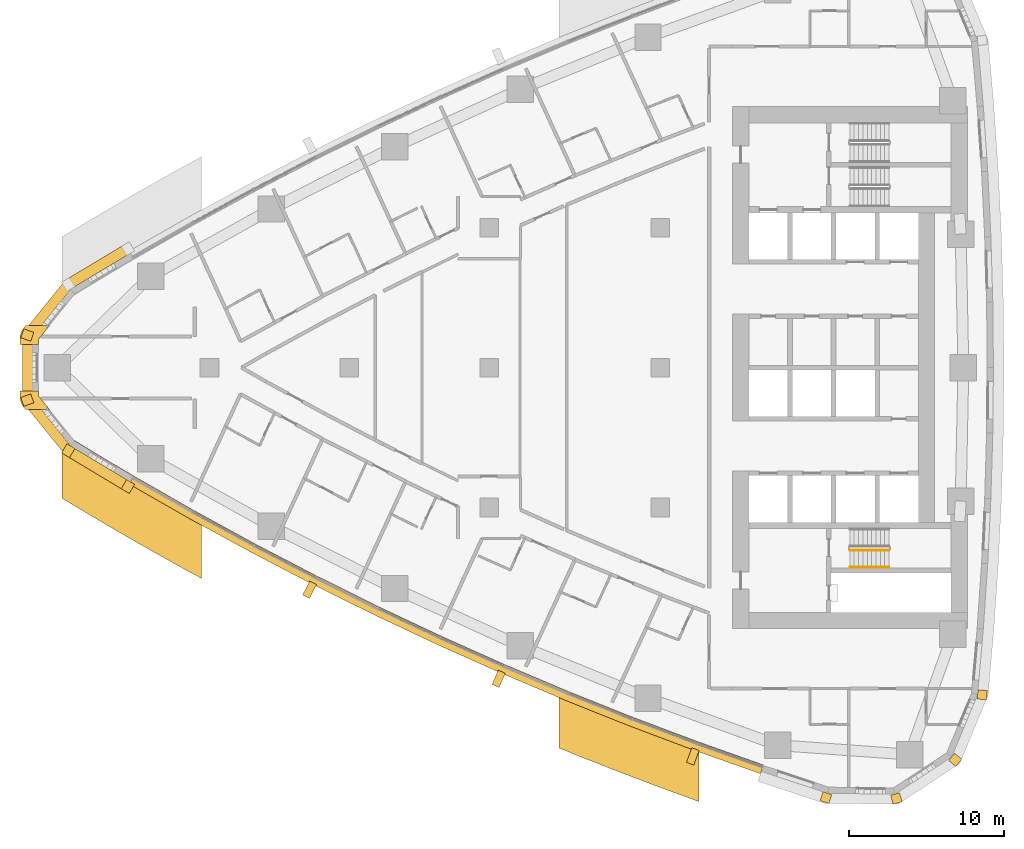
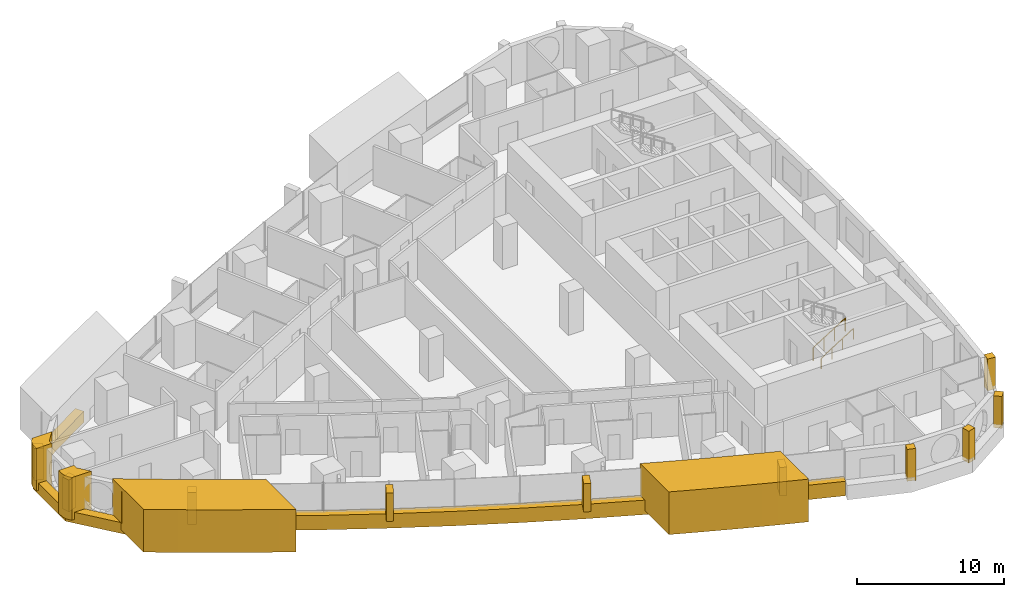
# One storey, part 14 of 17: 17 coverings, 2 railings.
"""IFC4 building model written with IfcOpenShell, lengths in metres."""

from ifc_helpers import new_model, si_unit, direction, frame, frame_2d, origin, origin_2d, place, context, subcontext, project, spatial, polyline, rectangle, circle, outline, extrude, material, layer, layer_set, type_object, element, save


model = new_model("IFC4")

# Units and contexts
model_context = context("Model", 3, precision=1e-05, world=origin(), true_north=direction((0.0, 1.0)))
body_context = subcontext(model_context, "Body", "Model", "MODEL_VIEW")
ifc_project = project(units=[si_unit("LENGTHUNIT", "METRE"), si_unit("AREAUNIT", "SQUARE_METRE"), si_unit("VOLUMEUNIT", "CUBIC_METRE"), si_unit("PLANEANGLEUNIT", "RADIAN"), si_unit("MASSUNIT", "GRAM", prefix="KILO")], contexts=[model_context])

# Site, building, storey
site_placement = place(None, origin())
site = spatial("IfcSite", under=ifc_project, at=site_placement, CompositionType="ELEMENT")
building_placement = place(site_placement, origin())
building = spatial("IfcBuilding", under=site, at=building_placement, Name="Ostrand Prow Hotel Tower", CompositionType="ELEMENT")
storey_placement = place(building_placement, frame((0.0, 0.0, 106.199951171875)))
storey = spatial("IfcBuildingStorey", under=building, at=storey_placement, Name="L25", CompositionType="ELEMENT", Elevation=106.199951171875)

# Coverings
ifc_material_1 = material(Name="Bronze anodised aluminium cladding", Category="aluminium")
ifc_layer_1 = layer(ifc_material_1, 0.60009765625)
ifc_layer_set_1 = layer_set([ifc_layer_1], Name="Bronze anodised aluminium cladding")
covering_type_1 = type_object("IfcCoveringType", Name="Bronze prow band 899x600", PredefinedType="CLADDING", material=ifc_layer_set_1)
covering_1_placement = place(storey_placement, frame((0.0, 0.0, -0.300048828125)))
element("IfcCovering", 1, at=covering_1_placement, inside=storey, type_object=covering_type_1, Name="Bronze prow band", PredefinedType="CLADDING", context=body_context, shape_type="SweptSolid", body=[
    extrude(outline(polyline([(10.580810546875, 7.9453125), (6.734130859375, 5.637939453125), (3.957763671875, 2.206787109375), (3.957763671875, -2.206787109375), (6.734130859375, -5.637939453125), (10.580810546875, -7.9453125), (10.9248046875, -7.358642578125), (7.089599609375, -5.058349609375), (4.598876953125, -1.97998046875), (4.598876953125, 1.97998046875), (7.089599609375, 5.058349609375), (10.9248046875, 7.358642578125), (10.580810546875, 7.9453125)])), origin(), (0.0, 0.0, 1.0), 0.900146484375),
])
ifc_material_2 = material(Name="Bronze anodised aluminium cladding", Category="aluminium")
ifc_layer_2 = layer(ifc_material_2, 0.60009765625)
ifc_layer_set_2 = layer_set([ifc_layer_2], Name="Bronze anodised aluminium cladding")
covering_type_2 = type_object("IfcCoveringType", Name="Bronze spandrel band 1200x600", PredefinedType="CLADDING", material=ifc_layer_set_2)
covering_2_placement = place(storey_placement, frame((0.0, 0.0, -0.300048828125)))
element("IfcCovering", 2, at=covering_2_placement, inside=storey, type_object=covering_type_2, Name="Spandrel band S1", PredefinedType="CLADDING", context=body_context, shape_type="SweptSolid", body=[
    extrude(outline(polyline([(10.841064453125, -7.50146484375), (14.72412109375, -9.726318359375), (18.651123046875, -11.872802734375), (22.620361328125, -13.940185546875), (26.6298828125, -15.927734375), (30.6787109375, -17.834716796875), (34.764892578125, -19.659912109375), (38.88671875, -21.4033203125), (43.042724609375, -23.0634765625), (47.231201171875, -24.64013671875), (51.4501953125, -26.1328125), (51.644775390625, -25.56494140625), (47.43701171875, -24.076416015625), (43.259765625, -22.504150390625), (39.114990234375, -20.848388671875), (35.004150390625, -19.10986328125), (30.928955078125, -17.289306640625), (26.89111328125, -15.3876953125), (22.89208984375, -13.4052734375), (18.93359375, -11.343505859375), (15.01708984375, -9.20263671875), (11.144287109375, -6.98388671875), (10.841064453125, -7.50146484375)])), origin(), (0.0, 0.0, 1.0), 1.2001953125),
])
ifc_material_3 = material(Name="Limestone cladding", Category="masonry")
ifc_layer_3 = layer(ifc_material_3, 5.0)
ifc_layer_set_3 = layer_set([ifc_layer_3], Name="Limestone cladding")
covering_type_3 = type_object("IfcCoveringType", Name="Portal jamb pilaster limestone", PredefinedType="CLADDING", material=ifc_layer_set_3)
covering_3_placement = place(storey_placement, origin())
element("IfcCovering", 3, at=covering_3_placement, inside=storey, type_object=covering_type_3, Name="Portal jamb SA L25", PredefinedType="CLADDING", context=body_context, shape_type="SweptSolid", body=[
    extrude(outline(polyline([(6.5, -4.184326171875), (6.5, -8.40625), (7.5, -9.0087890625), (8.5, -9.604248046875), (9.5, -10.19287109375), (10.5, -10.7744140625), (11.5, -11.349365234375), (12.5, -11.91748046875), (13.5, -12.478759765625), (14.5, -13.03369140625), (15.5, -13.581787109375), (15.5, -9.47216796875), (14.5, -8.912353515625), (13.5, -8.345703125), (12.5, -7.772216796875), (11.5, -7.19189453125), (10.5, -6.6044921875), (9.5, -6.01025390625), (8.5, -5.40869140625), (7.5, -4.80029296875), (6.5, -4.184326171875)])), origin(), (0.0, 0.0, 1.0), 3.550048828125),
])
covering_4_placement = place(storey_placement, origin())
element("IfcCovering", 4, at=covering_4_placement, inside=storey, type_object=covering_type_3, Name="Portal jamb SB L25", PredefinedType="CLADDING", context=body_context, shape_type="SweptSolid", body=[
    extrude(outline(polyline([(38.5, -20.59423828125), (38.5, -24.486083984375), (39.5, -24.890380859375), (40.5, -25.2890625), (41.5, -25.68212890625), (42.5, -26.06982421875), (43.5, -26.4521484375), (44.5, -26.8291015625), (45.5, -27.200439453125), (46.5, -27.566650390625), (47.5, -27.927490234375), (47.5, -24.099609375), (46.5, -23.732177734375), (45.5, -23.359130859375), (44.5, -22.98095703125), (43.5, -22.59716796875), (42.5, -22.207763671875), (41.5, -21.812744140625), (40.5, -21.412353515625), (39.5, -21.006103515625), (38.5, -20.59423828125)])), origin(), (0.0, 0.0, 1.0), 3.550048828125),
])
ifc_material_4 = material(Name="Limestone cladding", Category="masonry")
ifc_layer_4 = layer(ifc_material_4, 0.5)
ifc_layer_set_4 = layer_set([ifc_layer_4], Name="Limestone cladding")
covering_type_4 = type_object("IfcCoveringType", Name="Precast stone fin 500x900", PredefinedType="CLADDING", material=ifc_layer_set_4)
covering_5_placement = place(storey_placement, frame((22.66552734375, -13.85107421875, 0.900146484375), z_axis=(0.0, 0.0, 1.0), x_axis=(-0.453062569589, -0.891478719902, 0.0)))
element("IfcCovering", 5, at=covering_5_placement, inside=storey, type_object=covering_type_4, Name="Stone fin S 4", PredefinedType="CLADDING", context=body_context, shape_type="SweptSolid", body=[
    extrude(rectangle(XDim=1.000244140625, YDim=0.5, at=frame_2d((0.5, 0.0))), origin(), (0.0, 0.0, 1.0), 2.349853515625),
])
for number, where, z_axis, x_axis, name in (
    (6, (34.8046875, -19.568359375, 0.900146484375), (0.0, 0.0, 1.0), (-0.398717183359, -0.917073937965, 0.0), "Stone fin S 7"),
    (7, (47.265380859375, -24.546142578125, 0.900146484375), (0.0, 0.0, 1.0), (-0.342762160206, -0.93942221686, 0.0), "Stone fin S 10"),
):
    element("IfcCovering", number, at=place(storey_placement, frame(where, z_axis=z_axis, x_axis=x_axis)), inside=storey, type_object=covering_type_4, Name=name, PredefinedType="CLADDING", context=body_context, shape_type="SweptSolid", body=[
        extrude(rectangle(XDim=1.0, YDim=0.5, at=frame_2d((0.5, 0.0))), origin(), (0.0, 0.0, 1.0), 2.349853515625),
    ])
ifc_material_5 = material(Name="Limestone cladding", Category="masonry")
ifc_layer_5 = layer(ifc_material_5, 0.60009765625)
ifc_layer_set_5 = layer_set([ifc_layer_5], Name="Limestone cladding")
covering_type_5 = type_object("IfcCoveringType", Name="Precast stone prow rib 600x600", PredefinedType="CLADDING", material=ifc_layer_set_5)
for number, where, z_axis, x_axis, name in (
    (8, (4.598876953125, 1.97998046875, 0.60009765625), (0.0, 0.0, 1.0), (-0.942744850171, 0.333514838465, 0.0), "Stone prow rib 3"),
    (9, (4.598876953125, -1.97998046875, 0.60009765625), (0.0, 0.0, 1.0), (-0.942744850171, -0.333514838465, 0.0), "Stone prow rib 4"),
    (10, (7.089599609375, -5.058349609375, 0.60009765625), (0.0, 0.0, 1.0), (-0.522814637618, -0.852446394029, 0.0), "Stone prow rib 5"),
):
    element("IfcCovering", number, at=place(storey_placement, frame(where, z_axis=z_axis, x_axis=x_axis)), inside=storey, type_object=covering_type_5, Name=name, PredefinedType="CLADDING", context=body_context, shape_type="SweptSolid", body=[
        extrude(rectangle(XDim=0.679931640625, YDim=0.60009765625, at=frame_2d((0.33984375, 0.0))), origin(), (0.0, 0.0, 1.0), 2.64990234375),
    ])
covering_6_placement = place(storey_placement, frame((10.9248046875, -7.358642578125, 0.60009765625), z_axis=(0.0, 0.0, 1.0), x_axis=(-0.505811626043, -0.862643958397, 0.0)))
element("IfcCovering", 11, at=covering_6_placement, inside=storey, type_object=covering_type_5, Name="Stone prow rib 6", PredefinedType="CLADDING", context=body_context, shape_type="SweptSolid", body=[
    extrude(rectangle(XDim=0.68017578125, YDim=0.60009765625, at=frame_2d((0.340087890625, 0.0))), origin(), (0.0, 0.0, 1.0), 2.64990234375),
])
covering_7_placement = place(storey_placement, frame((55.7490234375, -27.3828125, 0.60009765625), z_axis=(0.0, 0.0, 1.0), x_axis=(-0.305218682065, -0.952282288042, 0.0)))
element("IfcCovering", 12, at=covering_7_placement, inside=storey, type_object=covering_type_5, Name="Stone corner rib 2a", PredefinedType="CLADDING", context=body_context, shape_type="SweptSolid", body=[
    extrude(rectangle(XDim=0.599853515625, YDim=0.60009765625, at=frame_2d((0.2998046875, 0.0))), origin(), (0.0, 0.0, 1.0), 2.64990234375),
])
covering_8_placement = place(storey_placement, frame((60.104736328125, -27.437744140625, 0.60009765625), z_axis=(0.0, 0.0, 1.0), x_axis=(0.280734221166, -0.959785547436, 0.0)))
element("IfcCovering", 13, at=covering_8_placement, inside=storey, type_object=covering_type_5, Name="Stone corner rib 3a", PredefinedType="CLADDING", context=body_context, shape_type="SweptSolid", body=[
    extrude(rectangle(XDim=0.60009765625, YDim=0.60009765625, at=frame_2d((0.300048828125, 0.0))), origin(), (0.0, 0.0, 1.0), 2.64990234375),
])
for number, where, z_axis, x_axis, name in (
    (14, (63.74365234375, -25.043212890625, 0.60009765625), (0.0, 0.0, 1.0), (0.770318500913, -0.637659319034, 0.0), "Stone corner rib 4a"),
    (15, (65.41650390625, -21.02099609375, 0.60009765625), (0.0, 0.0, 1.0), (0.99529571972, -0.096883591531, 0.0), "Stone corner rib 4b"),
):
    element("IfcCovering", number, at=place(storey_placement, frame(where, z_axis=z_axis, x_axis=x_axis)), inside=storey, type_object=covering_type_5, Name=name, PredefinedType="CLADDING", context=body_context, shape_type="SweptSolid", body=[
        extrude(rectangle(XDim=0.599853515625, YDim=0.60009765625, at=frame_2d((0.2998046875, 0.0))), origin(), (0.0, 0.0, 1.0), 2.64990234375),
    ])
ifc_material_6 = material(Name="Limestone cladding", Category="masonry")
ifc_layer_6 = layer(ifc_material_6, 3.0)
ifc_layer_set_6 = layer_set([ifc_layer_6], Name="Limestone cladding")
covering_type_6 = type_object("IfcCoveringType", Name="Prow nose pier limestone", PredefinedType="CLADDING", material=ifc_layer_set_6)
covering_9_placement = place(storey_placement, origin())
element("IfcCovering", 16, at=covering_9_placement, inside=storey, type_object=covering_type_6, Name="Prow spine fin N L25", PredefinedType="CLADDING", context=body_context, shape_type="SweptSolid", body=[
    extrude(outline(polyline([(3.808349609375, 1.8349609375), (3.808349609375, 1.5), (5.00830078125, 1.5), (5.00830078125, 1.8349609375), (5.708251953125, 2.699951171875), (4.16455078125, 2.699951171875), (4.075439453125, 2.58984375), (4.006591796875, 2.495849609375), (3.947265625, 2.3955078125), (3.897705078125, 2.289794921875), (3.85888671875, 2.179931640625), (3.830810546875, 2.06689453125), (3.81396484375, 1.951416015625), (3.808349609375, 1.8349609375)])), origin(), (0.0, 0.0, 1.0), 3.550048828125),
])
covering_10_placement = place(storey_placement, origin())
element("IfcCovering", 17, at=covering_10_placement, inside=storey, type_object=covering_type_6, Name="Prow spine fin S L25", PredefinedType="CLADDING", context=body_context, shape_type="SweptSolid", body=[
    extrude(outline(polyline([(4.075439453125, -2.58984375), (4.16455078125, -2.699951171875), (5.708251953125, -2.699951171875), (5.00830078125, -1.8349609375), (5.00830078125, -1.5), (3.808349609375, -1.5), (3.808349609375, -1.8349609375), (3.81396484375, -1.951416015625), (3.830810546875, -2.06689453125), (3.85888671875, -2.179931640625), (3.897705078125, -2.289794921875), (3.947265625, -2.3955078125), (4.006591796875, -2.495849609375), (4.075439453125, -2.58984375)])), origin(), (0.0, 0.0, 1.0), 3.550048828125),
])

# Railings
ifc_material_7 = material(Name="Painted steel", Category="steel")
railing_type_1 = type_object("IfcRailingType", Name="Stair guard 1100", PredefinedType="GUARDRAIL", material=ifc_material_7)
railing_1_placement = place(storey_placement, frame((57.199951171875, -11.75, 0.177490234375)))
element("IfcRailing", 18, at=railing_1_placement, inside=storey, type_object=railing_type_1, Name="L25 ST2C stair guard 1", PredefinedType="GUARDRAIL", context=body_context, shape_type="SweptSolid", body=[
    extrude(circle(Radius=0.02392578125, at=origin_2d()), frame((0.0, 0.0, 1.076171875), z_axis=(0.84456994832, 0.0, 0.535445237532), x_axis=(0.0, 1.0, 0.0)), (0.0, 0.0, 1.0), 2.98388671875),
    extrude(circle(Radius=0.02099609375, at=origin_2d()), origin(), (0.0, 0.0, 1.0), 1.052001953125),
    extrude(circle(Radius=0.02099609375, at=origin_2d()), frame((0.840087890625, 0.0, 0.532470703125)), (0.0, 0.0, 1.0), 1.052001953125),
    extrude(circle(Radius=0.02099609375, at=origin_2d()), frame((1.679931640625, 0.0, 1.065185546875)), (0.0, 0.0, 1.0), 1.052001953125),
    extrude(circle(Radius=0.02099609375, at=origin_2d()), frame((2.52001953125, 0.0, 1.59765625)), (0.0, 0.0, 1.0), 1.052001953125),
])
ifc_material_8 = material(Name="Stainless steel", Category="steel")
railing_type_2 = type_object("IfcRailingType", Name="Stair handrail 900", PredefinedType="HANDRAIL", material=ifc_material_8)
railing_2_placement = place(storey_placement, frame((57.199951171875, -12.85009765625, 0.177490234375)))
element("IfcRailing", 19, at=railing_2_placement, inside=storey, type_object=railing_type_2, Name="L25 ST2C stair handrail 1", PredefinedType="HANDRAIL", context=body_context, shape_type="SweptSolid", body=[
    extrude(circle(Radius=0.02392578125, at=origin_2d()), frame((0.0, 0.0, 0.8759765625), z_axis=(0.84456994832, 0.0, 0.535445237532), x_axis=(0.0, 1.0, 0.0)), (0.0, 0.0, 1.0), 2.98388671875),
    extrude(circle(Radius=0.02099609375, at=origin_2d()), origin(), (0.0, 0.0, 1.0), 0.851806640625),
    extrude(circle(Radius=0.02099609375, at=origin_2d()), frame((0.840087890625, 0.0, 0.532470703125)), (0.0, 0.0, 1.0), 0.851806640625),
    extrude(circle(Radius=0.02099609375, at=origin_2d()), frame((1.679931640625, 0.0, 1.065185546875)), (0.0, 0.0, 1.0), 0.851806640625),
    extrude(circle(Radius=0.02099609375, at=origin_2d()), frame((2.52001953125, 0.0, 1.59765625)), (0.0, 0.0, 1.0), 0.851806640625),
])

save(model, "model.ifc")
